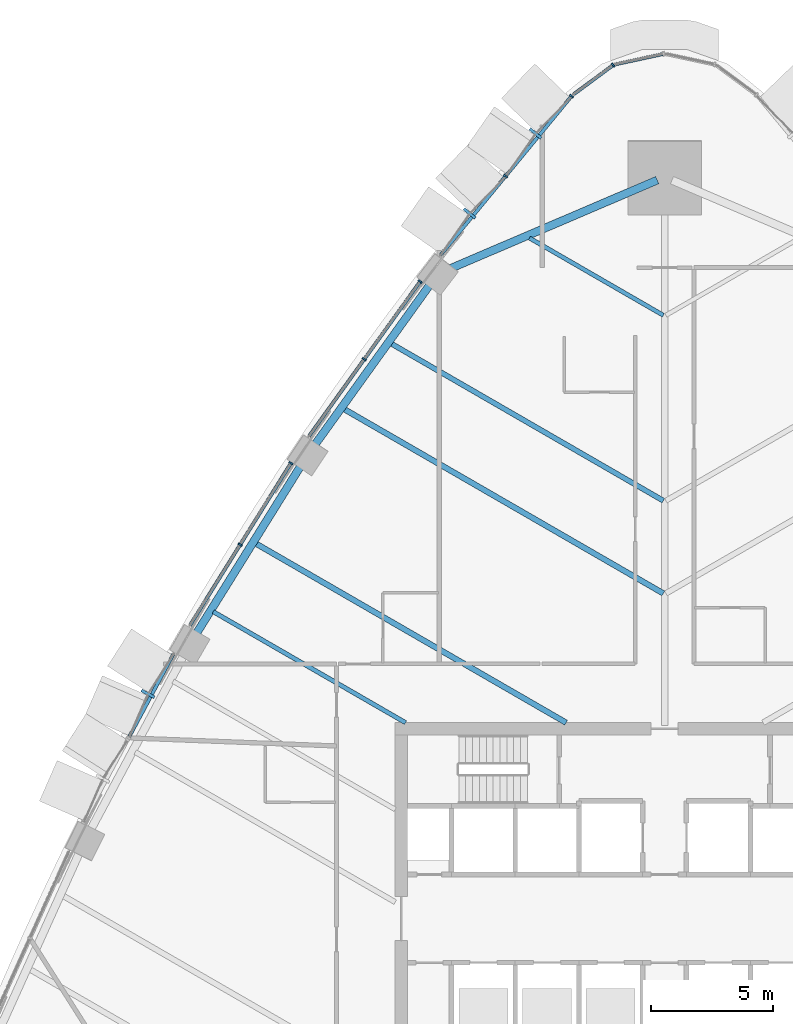
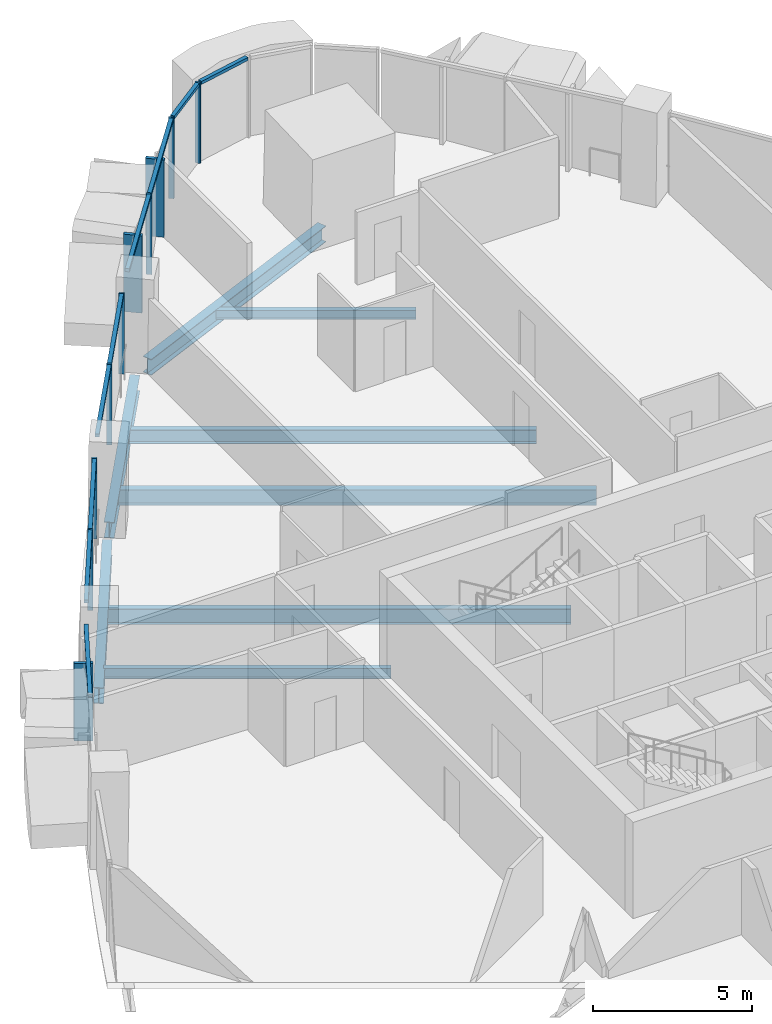
# One storey, part 6 of 18: 19 members, 8 beams, 6 elements without a shape of their own.
"""IFC4 building model written with IfcOpenShell, lengths in metres."""

from ifc_helpers import new_model, si_unit, direction, frame, origin, origin_2d, place, context, subcontext, project, spatial, rectangle, i_section, extrude, material, layer, layer_set, material_profile, profile_set, type_object, element, aggregate, save


model = new_model("IFC4")

# Units and contexts
model_context = context("Model", 3, precision=1e-05, world=origin(), true_north=direction((0.0, 1.0)))
body_context = subcontext(model_context, "Body", "Model", "MODEL_VIEW")
ifc_project = project(units=[si_unit("LENGTHUNIT", "METRE"), si_unit("AREAUNIT", "SQUARE_METRE"), si_unit("VOLUMEUNIT", "CUBIC_METRE"), si_unit("PLANEANGLEUNIT", "RADIAN"), si_unit("MASSUNIT", "GRAM", prefix="KILO")], contexts=[model_context])

# Site, building, storey
site_placement = place(None, origin())
site = spatial("IfcSite", under=ifc_project, at=site_placement, CompositionType="ELEMENT")
building_placement = place(site_placement, origin())
building = spatial("IfcBuilding", under=site, at=building_placement, Name="Sierra Prisma Convention Tower", CompositionType="ELEMENT")
storey_placement = place(building_placement, frame((0.0, 0.0, 81.300048828125)))
storey = spatial("IfcBuildingStorey", under=building, at=storey_placement, Name="L16", CompositionType="ELEMENT", Elevation=81.300048828125)

# Curtain wall, members
ifc_material_1 = material(Name="Aluminium and glass curtain wall", Category="aluminium")
ifc_layer_1 = layer(ifc_material_1, 0.179931640625)
ifc_layer_set_1 = layer_set([ifc_layer_1], Name="CW-2 Faceted crystal curtain wall")
curtain_wall_type_1 = type_object("IfcCurtainWallType", Name="CW-2 Faceted crystal curtain wall", PredefinedType="NOTDEFINED", material=ifc_layer_set_1)
curtain_wall_1_placement = place(storey_placement, origin())
curtain_wall_1 = element("IfcCurtainWall", 1, at=curtain_wall_1_placement, inside=storey, type_object=curtain_wall_type_1, Name="CW-2 NW1 L16", PredefinedType="NOTDEFINED")
ifc_material_2 = material(Name="Aluminium 6063-T6 bronze anodised", Category="aluminium")
ifc_material_profile_1 = material_profile(ifc_material_2, rectangle(XDim=0.1201171875, YDim=0.60009765625, at=origin_2d()), Name="ALU RIDGE BLADE 120x600")
ifc_profile_set_1 = profile_set([ifc_material_profile_1], Name="Aluminium 6063-T6 bronze anodised")
member_type_1 = type_object("IfcMemberType", Name="CW hip bronze", PredefinedType="MULLION", material=ifc_profile_set_1)
member_1_placement = place(storey_placement, frame((-5.271484375, 32.055419921875, 0.0), z_axis=(0.0, 0.0, 1.0), x_axis=(-0.636050557312, -0.771647386144, 0.0)))
member_1 = element("IfcMember", 2, at=member_1_placement, type_object=member_type_1, Name="CW-2 ridge NW1.1", PredefinedType="MULLION", context=body_context, shape_type="SweptSolid", body=[
    extrude(rectangle(XDim=0.1201171875, YDim=0.60009765625, at=origin_2d()), origin(), (0.0, 0.0, 1.0), 2.97998046875),
])
member_2_placement = place(storey_placement, frame((-7.96240234375, 28.790771484375, 0.0), z_axis=(0.0, 0.0, 1.0), x_axis=(-0.636050557312, -0.771647386144, 0.0)))
member_2 = element("IfcMember", 3, at=member_2_placement, type_object=member_type_1, Name="CW-2 ridge NW1.2", PredefinedType="MULLION", context=body_context, shape_type="SweptSolid", body=[
    extrude(rectangle(XDim=0.1201171875, YDim=0.60009765625, at=origin_2d()), origin(), (0.0, 0.0, 1.0), 2.97998046875),
])

# Curtain wall, member
curtain_wall_2_placement = place(storey_placement, origin())
curtain_wall_2 = element("IfcCurtainWall", 4, at=curtain_wall_2_placement, inside=storey, type_object=curtain_wall_type_1, Name="CW-2 NW4 L16", PredefinedType="NOTDEFINED")
member_3_placement = place(storey_placement, frame((-21.09619140625, 9.177001953125, 0.0), z_axis=(0.0, 0.0, 1.0), x_axis=(-0.471018206015, -0.882123488862, 0.0)))
member_3 = element("IfcMember", 5, at=member_3_placement, type_object=member_type_1, Name="CW-2 ridge NW4.1", PredefinedType="MULLION", context=body_context, shape_type="SweptSolid", body=[
    extrude(rectangle(XDim=0.1201171875, YDim=0.60009765625, at=origin_2d()), origin(), (0.0, 0.0, 1.0), 2.97998046875),
])

ifc_material_3 = material(Name="Aluminium and glass curtain wall", Category="aluminium")
ifc_layer_2 = layer(ifc_material_3, 0.179931640625)
ifc_layer_set_2 = layer_set([ifc_layer_2], Name="CW-1 Plain shaft curtain wall")
curtain_wall_type_2 = type_object("IfcCurtainWallType", Name="CW-1 Plain shaft curtain wall", PredefinedType="NOTDEFINED", material=ifc_layer_set_2)
curtain_wall_3_placement = place(storey_placement, origin())
curtain_wall_3 = element("IfcCurtainWall", 6, at=curtain_wall_3_placement, inside=storey, type_object=curtain_wall_type_2, Name="CW-1 N4 L16", PredefinedType="NOTDEFINED")
ifc_material_4 = material(Name="Aluminium 6063-T6 bronze anodised", Category="aluminium")
ifc_material_profile_2 = material_profile(ifc_material_4, rectangle(XDim=0.179931640625, YDim=0.070068359375, at=origin_2d()), Name="ALU MULLION 70x180")
ifc_profile_set_2 = profile_set([ifc_material_profile_2], Name="Aluminium 6063-T6 bronze anodised")
member_type_2 = type_object("IfcMemberType", Name="CW mullion bronze", PredefinedType="MULLION", material=ifc_profile_set_2)
member_4_placement = place(storey_placement, frame((-2.1005859375, 34.84912109375, 0.0), z_axis=(0.0, 0.0, 1.0), x_axis=(0.5941470156, -0.804356465663, 0.0)))
member_4 = element("IfcMember", 7, at=member_4_placement, type_object=member_type_2, Name="CW-1 mullion N4.1", PredefinedType="MULLION", context=body_context, shape_type="SweptSolid", body=[
    extrude(rectangle(XDim=0.179931640625, YDim=0.070068359375, at=origin_2d()), origin(), (0.0, 0.0, 1.0), 3.099853515625),
])

# Member
member_5_placement = place(storey_placement, frame((-3.7998046875, 33.58349609375, 0.0), z_axis=(0.0, 0.0, 1.0), x_axis=(0.771647386144, -0.636050557312, 0.0)))
member_5 = element("IfcMember", 8, at=member_5_placement, type_object=member_type_2, Name="CW-1 mullion NW1.1", PredefinedType="MULLION", context=body_context, shape_type="SweptSolid", body=[
    extrude(rectangle(XDim=0.179931640625, YDim=0.070068359375, at=origin_2d()), origin(), (0.0, 0.0, 1.0), 3.099853515625),
])

member_6_placement = place(storey_placement, frame((-6.49072265625, 30.31884765625, 0.0), z_axis=(0.0, 0.0, 1.0), x_axis=(0.771647386144, -0.636050557312, 0.0)))
member_6 = element("IfcMember", 9, at=member_6_placement, type_object=member_type_2, Name="CW-1 mullion NW1.2", PredefinedType="MULLION", context=body_context, shape_type="SweptSolid", body=[
    extrude(rectangle(XDim=0.179931640625, YDim=0.070068359375, at=origin_2d()), origin(), (0.0, 0.0, 1.0), 3.099853515625),
])

# Curtain wall, members
curtain_wall_4_placement = place(storey_placement, origin())
curtain_wall_4 = element("IfcCurtainWall", 10, at=curtain_wall_4_placement, inside=storey, type_object=curtain_wall_type_2, Name="CW-1 NW2 L16", PredefinedType="NOTDEFINED")
member_7_placement = place(storey_placement, frame((-9.982421875, 26.01171875, 0.0), z_axis=(0.0, 0.0, 1.0), x_axis=(0.812096078592, -0.583523743421, 0.0)))
member_7 = element("IfcMember", 11, at=member_7_placement, type_object=member_type_2, Name="CW-1 mullion NW2.1", PredefinedType="MULLION", context=body_context, shape_type="SweptSolid", body=[
    extrude(rectangle(XDim=0.179931640625, YDim=0.070068359375, at=origin_2d()), origin(), (0.0, 0.0, 1.0), 3.099853515625),
])
member_8_placement = place(storey_placement, frame((-12.262939453125, 22.838134765625, 0.0), z_axis=(0.0, 0.0, 1.0), x_axis=(0.812096078592, -0.583523743421, 0.0)))
member_8 = element("IfcMember", 12, at=member_8_placement, type_object=member_type_2, Name="CW-1 mullion NW2.2", PredefinedType="MULLION", context=body_context, shape_type="SweptSolid", body=[
    extrude(rectangle(XDim=0.179931640625, YDim=0.070068359375, at=origin_2d()), origin(), (0.0, 0.0, 1.0), 3.099853515625),
])

curtain_wall_5_placement = place(storey_placement, origin())
curtain_wall_5 = element("IfcCurtainWall", 13, at=curtain_wall_5_placement, inside=storey, type_object=curtain_wall_type_2, Name="CW-1 NW3 L16", PredefinedType="NOTDEFINED")
member_9_placement = place(storey_placement, frame((-15.25634765625, 18.5986328125, 0.0), z_axis=(0.0, 0.0, 1.0), x_axis=(0.848975476485, -0.528432247622, 0.0)))
member_9 = element("IfcMember", 14, at=member_9_placement, type_object=member_type_2, Name="CW-1 mullion NW3.1", PredefinedType="MULLION", context=body_context, shape_type="SweptSolid", body=[
    extrude(rectangle(XDim=0.179931640625, YDim=0.070068359375, at=origin_2d()), origin(), (0.0, 0.0, 1.0), 3.099853515625),
])
member_10_placement = place(storey_placement, frame((-17.329833984375, 15.26708984375, 0.0), z_axis=(0.0, 0.0, 1.0), x_axis=(0.848975476485, -0.528432247622, 0.0)))
member_10 = element("IfcMember", 15, at=member_10_placement, type_object=member_type_2, Name="CW-1 mullion NW3.2", PredefinedType="MULLION", context=body_context, shape_type="SweptSolid", body=[
    extrude(rectangle(XDim=0.179931640625, YDim=0.070068359375, at=origin_2d()), origin(), (0.0, 0.0, 1.0), 3.099853515625),
])

# Curtain wall, member
curtain_wall_6_placement = place(storey_placement, origin())
curtain_wall_6 = element("IfcCurtainWall", 16, at=curtain_wall_6_placement, inside=storey, type_object=curtain_wall_type_2, Name="CW-1 N3 L16", PredefinedType="NOTDEFINED")
ifc_material_5 = material(Name="Aluminium 6063-T6 bronze anodised", Category="aluminium")
ifc_material_profile_3 = material_profile(ifc_material_5, rectangle(XDim=0.139892578125, YDim=0.1201171875, at=origin_2d()), Name="ALU TRANSOM 120x140")
ifc_profile_set_3 = profile_set([ifc_material_profile_3], Name="Aluminium 6063-T6 bronze anodised")
member_type_3 = type_object("IfcMemberType", Name="CW transom bronze", PredefinedType="USERDEFINED", material=ifc_profile_set_3)
member_11_placement = place(storey_placement, frame((-0.068359375, 35.301513671875, 3.0400390625), z_axis=(-0.977596226785, -0.210488995853, 0.0), x_axis=(0.210488995853, -0.977596226785, 0.0)))
member_11 = element("IfcMember", 17, at=member_11_placement, type_object=member_type_3, Name="CW-1 transom N3.1", ObjectType="TRANSOM", PredefinedType="USERDEFINED", context=body_context, shape_type="SweptSolid", body=[
    extrude(rectangle(XDim=0.139892578125, YDim=0.1201171875, at=origin_2d()), origin(), (0.0, 0.0, 1.0), 1.97998046875),
])
aggregate(curtain_wall_6, [member_11])

# Member
member_12_placement = place(storey_placement, frame((-2.128662109375, 34.828369140625, 3.0400390625), z_axis=(-0.804373428769, -0.594124050254, 0.0), x_axis=(0.594124050254, -0.804373428769, 0.0)))
member_12 = element("IfcMember", 18, at=member_12_placement, type_object=member_type_3, Name="CW-1 transom N4.1", ObjectType="TRANSOM", PredefinedType="USERDEFINED", context=body_context, shape_type="SweptSolid", body=[
    extrude(rectangle(XDim=0.139892578125, YDim=0.1201171875, at=origin_2d()), origin(), (0.0, 0.0, 1.0), 1.979736328125),
])

aggregate(curtain_wall_3, [member_4, member_12])

member_13_placement = place(storey_placement, frame((-3.822021484375, 33.556396484375, 3.0400390625), z_axis=(-0.63607740017, -0.771625259432, 0.0), x_axis=(0.771625259432, -0.63607740017, 0.0)))
member_13 = element("IfcMember", 19, at=member_13_placement, type_object=member_type_3, Name="CW-1 transom NW1.1", ObjectType="TRANSOM", PredefinedType="USERDEFINED", context=body_context, shape_type="SweptSolid", body=[
    extrude(rectangle(XDim=0.139892578125, YDim=0.1201171875, at=origin_2d()), origin(), (0.0, 0.0, 1.0), 4.16064453125),
])

member_14_placement = place(storey_placement, frame((-6.512939453125, 30.2919921875, 3.0400390625), z_axis=(-0.636048600726, -0.771648998907, 0.0), x_axis=(0.771648998907, -0.636048600726, 0.0)))
member_14 = element("IfcMember", 20, at=member_14_placement, type_object=member_type_3, Name="CW-1 transom NW1.2", ObjectType="TRANSOM", PredefinedType="USERDEFINED", context=body_context, shape_type="SweptSolid", body=[
    extrude(rectangle(XDim=0.139892578125, YDim=0.1201171875, at=origin_2d()), origin(), (0.0, 0.0, 1.0), 4.160888671875),
])

aggregate(curtain_wall_1, [member_5, member_6, member_13, member_1, member_14, member_2])

member_15_placement = place(storey_placement, frame((-10.0029296875, 25.9833984375, 3.0400390625), z_axis=(-0.583498415158, -0.81211427737, 0.0), x_axis=(0.81211427737, -0.583498415158, 0.0)))
member_15 = element("IfcMember", 21, at=member_15_placement, type_object=member_type_3, Name="CW-1 transom NW2.1", ObjectType="TRANSOM", PredefinedType="USERDEFINED", context=body_context, shape_type="SweptSolid", body=[
    extrude(rectangle(XDim=0.139892578125, YDim=0.1201171875, at=origin_2d()), origin(), (0.0, 0.0, 1.0), 3.838134765625),
])

member_16_placement = place(storey_placement, frame((-12.283447265625, 22.8095703125, 3.0400390625), z_axis=(-0.583528559218, -0.812092618226, 0.0), x_axis=(0.812092618226, -0.583528559218, 0.0)))
member_16 = element("IfcMember", 22, at=member_16_placement, type_object=member_type_3, Name="CW-1 transom NW2.2", ObjectType="TRANSOM", PredefinedType="USERDEFINED", context=body_context, shape_type="SweptSolid", body=[
    extrude(rectangle(XDim=0.139892578125, YDim=0.1201171875, at=origin_2d()), origin(), (0.0, 0.0, 1.0), 3.837890625),
])

aggregate(curtain_wall_4, [member_7, member_8, member_15, member_16])

member_17_placement = place(storey_placement, frame((-15.274658203125, 18.569091796875, 3.0400390625), z_axis=(-0.528455101053, -0.848961251278, 0.0), x_axis=(0.848961251278, -0.528455101053, 0.0)))
member_17 = element("IfcMember", 23, at=member_17_placement, type_object=member_type_3, Name="CW-1 transom NW3.1", ObjectType="TRANSOM", PredefinedType="USERDEFINED", context=body_context, shape_type="SweptSolid", body=[
    extrude(rectangle(XDim=0.139892578125, YDim=0.1201171875, at=origin_2d()), origin(), (0.0, 0.0, 1.0), 3.8544921875),
])

member_18_placement = place(storey_placement, frame((-17.348388671875, 15.2373046875, 3.0400390625), z_axis=(-0.52848351952, -0.848943560902, 0.0), x_axis=(0.848943560902, -0.52848351952, 0.0)))
member_18 = element("IfcMember", 24, at=member_18_placement, type_object=member_type_3, Name="CW-1 transom NW3.2", ObjectType="TRANSOM", PredefinedType="USERDEFINED", context=body_context, shape_type="SweptSolid", body=[
    extrude(rectangle(XDim=0.139892578125, YDim=0.1201171875, at=origin_2d()), origin(), (0.0, 0.0, 1.0), 3.854248046875),
])

aggregate(curtain_wall_5, [member_9, member_10, member_17, member_18])

member_19_placement = place(storey_placement, frame((-20.0546875, 10.805419921875, 3.0400390625), z_axis=(-0.471022157963, -0.882121378671, 0.0), x_axis=(0.882121378671, -0.471022157963, 0.0)))
member_19 = element("IfcMember", 25, at=member_19_placement, type_object=member_type_3, Name="CW-1 transom NW4.1", ObjectType="TRANSOM", PredefinedType="USERDEFINED", context=body_context, shape_type="SweptSolid", body=[
    extrude(rectangle(XDim=0.139892578125, YDim=0.1201171875, at=origin_2d()), origin(), (0.0, 0.0, 1.0), 3.854248046875),
])

aggregate(curtain_wall_2, [member_19, member_3])

# Beams
ifc_material_6 = material(Name="Steel ASTM A992 Gr 50", Category="steel")
ifc_material_profile_4 = material_profile(ifc_material_6, i_section(OverallWidth=0.172119140625, OverallDepth=0.35791015625, WebThickness=0.0078125, FlangeThickness=0.01318359375, at=origin_2d()), Name="W360x57")
ifc_profile_set_4 = profile_set([ifc_material_profile_4], Name="Steel ASTM A992 Gr 50")
beam_type_1 = type_object("IfcBeamType", Name="Floor joist W360x57", PredefinedType="JOIST", material=ifc_profile_set_4)
beam_1_placement = place(storey_placement, frame((-5.518798828125, 27.789306640625, -0.3291015625), z_axis=(0.866020677355, -0.500008186327, 0.0), x_axis=(0.500008186327, 0.866020677355, 0.0)))
element("IfcBeam", 26, at=beam_1_placement, inside=storey, type_object=beam_type_1, Name="Floor joist L16 NW02", PredefinedType="JOIST", context=body_context, shape_type="SweptSolid", body=[
    extrude(i_section(OverallWidth=0.172119140625, OverallDepth=0.35791015625, WebThickness=0.0078125, FlangeThickness=0.01318359375, at=origin_2d()), origin(), (0.0, 0.0, 1.0), 6.3115234375),
])
ifc_material_7 = material(Name="Steel ASTM A992 Gr 50", Category="steel")
ifc_material_profile_5 = material_profile(ifc_material_7, i_section(OverallWidth=0.177978515625, OverallDepth=0.406982421875, WebThickness=0.0078125, FlangeThickness=0.0126953125, at=origin_2d()), Name="W410x60")
ifc_profile_set_5 = profile_set([ifc_material_profile_5], Name="Steel ASTM A992 Gr 50")
beam_type_2 = type_object("IfcBeamType", Name="Floor joist W410x60", PredefinedType="JOIST", material=ifc_profile_set_5)
beam_2_placement = place(storey_placement, frame((-18.4287109375, 12.532470703125, -0.353515625), z_axis=(0.866021880676, -0.500006102154, 0.0), x_axis=(0.500006102154, 0.866021880676, 0.0)))
element("IfcBeam", 27, at=beam_2_placement, inside=storey, type_object=beam_type_2, Name="Floor joist L16 NW08", PredefinedType="JOIST", context=body_context, shape_type="SweptSolid", body=[
    extrude(i_section(OverallWidth=0.177978515625, OverallDepth=0.406982421875, WebThickness=0.0078125, FlangeThickness=0.0126953125, at=origin_2d()), origin(), (0.0, 0.0, 1.0), 9.06494140625),
])
ifc_material_8 = material(Name="Steel ASTM A992 Gr 50", Category="steel")
ifc_material_profile_6 = material_profile(ifc_material_8, i_section(OverallWidth=0.208984375, OverallDepth=0.532958984375, WebThickness=0.01025390625, FlangeThickness=0.015625, at=origin_2d()), Name="W530x92")
ifc_profile_set_6 = profile_set([ifc_material_profile_6], Name="Steel ASTM A992 Gr 50")
beam_type_3 = type_object("IfcBeamType", Name="Floor joist W530x92", PredefinedType="JOIST", material=ifc_profile_set_6)
beam_3_placement = place(storey_placement, frame((-11.16943359375, 23.4814453125, -0.41650390625), z_axis=(0.86602943772, -0.499993012953, 0.0), x_axis=(0.499993012953, 0.86602943772, 0.0)))
element("IfcBeam", 28, at=beam_3_placement, inside=storey, type_object=beam_type_3, Name="Floor joist L16 NW04", PredefinedType="JOIST", context=body_context, shape_type="SweptSolid", body=[
    extrude(i_section(OverallWidth=0.208984375, OverallDepth=0.532958984375, WebThickness=0.01025390625, FlangeThickness=0.015625, at=origin_2d()), origin(), (0.0, 0.0, 1.0), 12.836181640625),
])
ifc_material_9 = material(Name="Steel ASTM A992 Gr 50", Category="steel")
ifc_material_profile_7 = material_profile(ifc_material_9, i_section(OverallWidth=0.22802734375, OverallDepth=0.60302734375, WebThickness=0.010498046875, FlangeThickness=0.014892578125, at=origin_2d()), Name="W610x101")
ifc_profile_set_7 = profile_set([ifc_material_profile_7], Name="Steel ASTM A992 Gr 50")
beam_type_4 = type_object("IfcBeamType", Name="Floor joist W610x101", PredefinedType="JOIST", material=ifc_profile_set_7)
beam_4_placement = place(storey_placement, frame((-13.091796875, 20.80615234375, -0.45166015625), z_axis=(0.866029236326, -0.499993361785, 0.0), x_axis=(0.499993361785, 0.866029236326, 0.0)))
element("IfcBeam", 29, at=beam_4_placement, inside=storey, type_object=beam_type_4, Name="Floor joist L16 NW05", PredefinedType="JOIST", context=body_context, shape_type="SweptSolid", body=[
    extrude(i_section(OverallWidth=0.22802734375, OverallDepth=0.60302734375, WebThickness=0.010498046875, FlangeThickness=0.014892578125, at=origin_2d()), origin(), (0.0, 0.0, 1.0), 15.055908203125),
])
beam_5_placement = place(storey_placement, frame((-16.695556640625, 15.31689453125, -0.45166015625), z_axis=(0.866023056814, -0.500004065051, 0.0), x_axis=(0.500004065051, 0.866023056814, 0.0)))
element("IfcBeam", 30, at=beam_5_placement, inside=storey, type_object=beam_type_4, Name="Floor joist L16 NW07", PredefinedType="JOIST", context=body_context, shape_type="SweptSolid", body=[
    extrude(i_section(OverallWidth=0.22802734375, OverallDepth=0.60302734375, WebThickness=0.010498046875, FlangeThickness=0.014892578125, at=origin_2d()), origin(), (0.0, 0.0, 1.0), 14.6337890625),
])
ifc_material_10 = material(Name="Steel ASTM A992 Gr 50", Category="steel")
ifc_material_profile_8 = material_profile(ifc_material_10, i_section(OverallWidth=0.324951171875, OverallDepth=0.615966796875, WebThickness=0.013916015625, FlangeThickness=0.021484375, at=origin_2d()), Name="W610x174")
ifc_profile_set_8 = profile_set([ifc_material_profile_8], Name="Steel ASTM A992 Gr 50")
beam_type_5 = type_object("IfcBeamType", Name="Spandrel beam W610x174", PredefinedType="BEAM", material=ifc_profile_set_8)
beam_6_placement = place(storey_placement, frame((-0.300048828125, 30.15234375, -0.4580078125), z_axis=(-0.919570680471, -0.392924628419, 0.0), x_axis=(0.392924628419, -0.919570680471, 0.0)))
element("IfcBeam", 31, at=beam_6_placement, inside=storey, type_object=beam_type_5, Name="Spandrel L16-13", PredefinedType="BEAM", context=body_context, shape_type="SweptSolid", body=[
    extrude(i_section(OverallWidth=0.324951171875, OverallDepth=0.615966796875, WebThickness=0.013916015625, FlangeThickness=0.021484375, at=origin_2d()), origin(), (0.0, 0.0, 1.0), 9.185302734375),
])
beam_7_placement = place(storey_placement, frame((-9.548828125, 25.93017578125, -0.4580078125), z_axis=(-0.58352424327, -0.81209571943, 0.0), x_axis=(0.81209571943, -0.58352424327, 0.0)))
element("IfcBeam", 32, at=beam_7_placement, inside=storey, type_object=beam_type_5, Name="Spandrel L16-14", PredefinedType="BEAM", context=body_context, shape_type="SweptSolid", body=[
    extrude(i_section(OverallWidth=0.324951171875, OverallDepth=0.615966796875, WebThickness=0.013916015625, FlangeThickness=0.021484375, at=origin_2d()), origin(), (0.0, 0.0, 1.0), 8.144287109375),
])
beam_8_placement = place(storey_placement, frame((-14.835205078125, 18.518310546875, -0.4580078125), z_axis=(-0.528445951179, -0.848966946755, 0.0), x_axis=(0.848966946755, -0.528445951179, 0.0)))
element("IfcBeam", 33, at=beam_8_placement, inside=storey, type_object=beam_type_5, Name="Spandrel L16-15", PredefinedType="BEAM", context=body_context, shape_type="SweptSolid", body=[
    extrude(i_section(OverallWidth=0.324951171875, OverallDepth=0.615966796875, WebThickness=0.013916015625, FlangeThickness=0.021484375, at=origin_2d()), origin(), (0.0, 0.0, 1.0), 8.14404296875),
])

save(model, "model.ifc")
